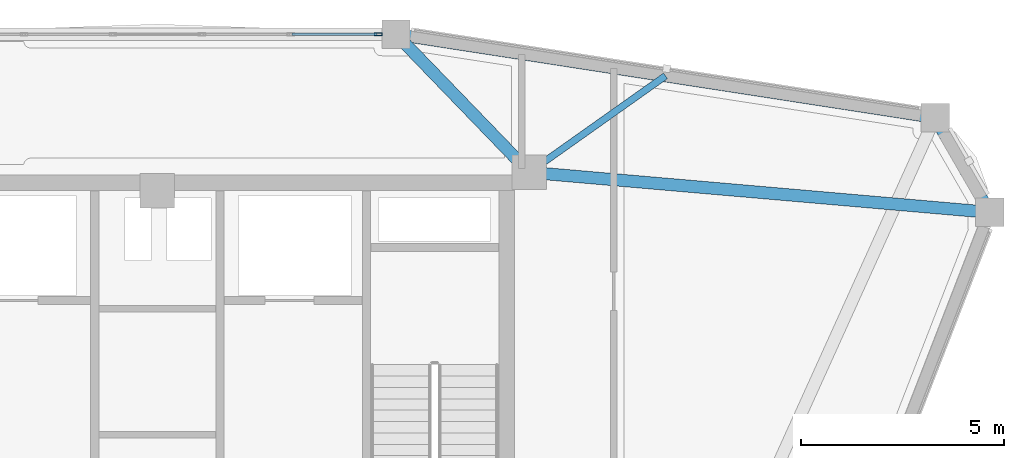
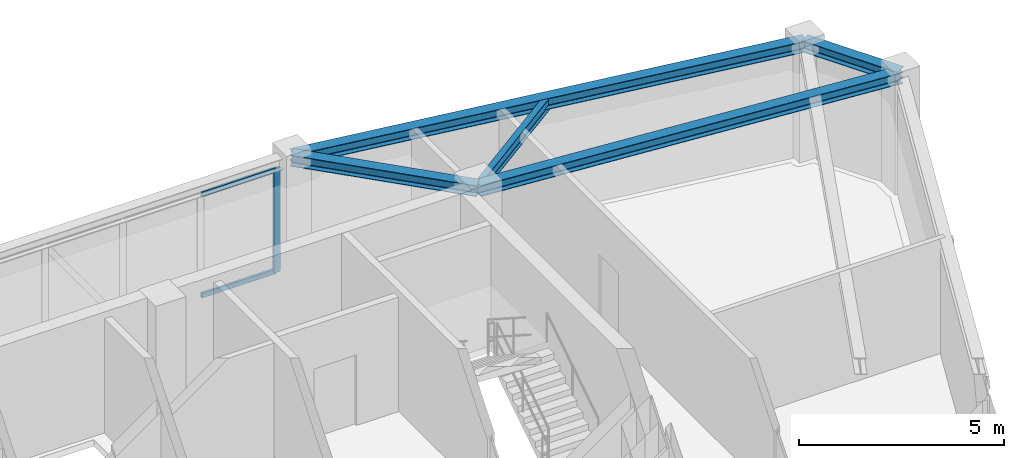
# One storey, part 10 of 15: 5 beams, 3 members, 1 element without a shape of its own.
"""IFC4 building model written with IfcOpenShell, lengths in metres."""

from ifc_helpers import new_model, si_unit, derived_unit, direction, frame, origin, origin_2d, place, context, subcontext, project, spatial, hollow_rectangle, i_section, extrude, source, transform, mapped, material, layer, layer_set, material_profile, profile_set, type_object, element, aggregate, save


model = new_model("IFC4")

# Units and contexts
model_context = context("Model", 3, precision=1e-05, world=origin(), true_north=direction((0.0, 1.0)))
body_context = subcontext(model_context, "Body", "Model", "MODEL_VIEW")
ifc_project = project(units=[si_unit("LENGTHUNIT", "METRE"), si_unit("AREAUNIT", "SQUARE_METRE"), si_unit("VOLUMEUNIT", "CUBIC_METRE"), si_unit("PLANEANGLEUNIT", "RADIAN"), si_unit("MASSUNIT", "GRAM", prefix="KILO"), derived_unit("THERMALTRANSMITTANCEUNIT", [(si_unit("POWERUNIT", "WATT"), 1), (si_unit("LENGTHUNIT", "METRE"), -2), (si_unit("THERMODYNAMICTEMPERATUREUNIT", "KELVIN"), -1)])], contexts=[model_context])

# Site, building, storey
site_placement = place(None, origin())
site = spatial("IfcSite", under=ifc_project, at=site_placement, CompositionType="ELEMENT")
building_placement = place(site_placement, origin())
building = spatial("IfcBuilding", under=site, at=building_placement, Name="Korsvarv Bourse and Concert Hall", CompositionType="ELEMENT")
storey_placement = place(building_placement, frame((0.0, 0.0, 268.199951171875)))
storey = spatial("IfcBuildingStorey", under=building, at=storey_placement, Name="L70", CompositionType="ELEMENT", Elevation=268.199951171875)

# Beams
ifc_material_1 = material(Name="Steel S355", Category="steel")
ifc_material_profile_1 = material_profile(ifc_material_1, i_section(OverallWidth=0.300048828125, OverallDepth=0.330078125, WebThickness=0.009521484375, FlangeThickness=0.0166015625, FilletRadius=0.02099609375, at=origin_2d()), Name="HEA 340")
ifc_profile_set_1 = profile_set([ifc_material_profile_1], Name="Steel S355")
beam_type_1 = type_object("IfcBeamType", Name="BM-HEA340", PredefinedType="BEAM", material=ifc_profile_set_1)
shared_shape_1 = source(origin(), body_context, "Body", "SweptSolid", [
    extrude(i_section(OverallWidth=0.300048828125, OverallDepth=0.330078125, WebThickness=0.009521484375, FlangeThickness=0.0166015625, FilletRadius=0.02099609375, at=origin_2d()), origin(), (0.0, 0.0, 1.0), 2.6923828125),
])
beam_1_placement = place(storey_placement, frame((56.47412109375, 46.266357421875, 3.2451171875), z_axis=(-0.500020738559, 0.86601343004, 0.0), x_axis=(-0.86601343004, -0.500020738559, 0.0)))
element("IfcBeam", 1, at=beam_1_placement, inside=storey, type_object=beam_type_1, Name="L70 beam B-12", PredefinedType="BEAM", context=body_context, shape_type="MappedRepresentation", body=[
    mapped(shared_shape_1, transform((0.0, 0.0, 0.0), scale=1.0)),
])
shared_shape_2 = source(origin(), body_context, "Body", "SweptSolid", [
    extrude(i_section(OverallWidth=0.300048828125, OverallDepth=0.330078125, WebThickness=0.009521484375, FlangeThickness=0.0166015625, FilletRadius=0.02099609375, at=origin_2d()), origin(), (0.0, 0.0, 1.0), 13.416015625),
])
beam_2_placement = place(storey_placement, frame((55.1279296875, 48.597900390625, 3.2451171875), z_axis=(-0.988270074885, 0.152716269881, 0.0), x_axis=(-0.152716269881, -0.988270074885, 0.0)))
element("IfcBeam", 2, at=beam_2_placement, inside=storey, type_object=beam_type_1, Name="L70 beam B-12", PredefinedType="BEAM", context=body_context, shape_type="MappedRepresentation", body=[
    mapped(shared_shape_2, transform((0.0, 0.0, 0.0), scale=1.0)),
])
shared_shape_3 = source(origin(), body_context, "Body", "SweptSolid", [
    extrude(i_section(OverallWidth=0.300048828125, OverallDepth=0.330078125, WebThickness=0.009521484375, FlangeThickness=0.0166015625, FilletRadius=0.02099609375, at=origin_2d()), origin(), (0.0, 0.0, 1.0), 11.366943359375),
])
beam_3_placement = place(storey_placement, frame((56.47412109375, 46.266357421875, 3.2451171875), z_axis=(-0.996248723785, 0.086536006126, 0.0), x_axis=(-0.086536006126, -0.996248723785, 0.0)))
element("IfcBeam", 3, at=beam_3_placement, inside=storey, type_object=beam_type_1, Name="L70 beam B-12", PredefinedType="BEAM", context=body_context, shape_type="MappedRepresentation", body=[
    mapped(shared_shape_3, transform((0.0, 0.0, 0.0), scale=1.0)),
])
shared_shape_4 = source(origin(), body_context, "Body", "SweptSolid", [
    extrude(i_section(OverallWidth=0.300048828125, OverallDepth=0.330078125, WebThickness=0.009521484375, FlangeThickness=0.0166015625, FilletRadius=0.02099609375, at=origin_2d()), origin(), (0.0, 0.0, 1.0), 4.72216796875),
])
beam_4_placement = place(storey_placement, frame((41.869384765625, 50.646728515625, 3.2451171875), z_axis=(0.694695075658, -0.71930435273, 0.0), x_axis=(0.71930435273, 0.694695075658, 0.0)))
element("IfcBeam", 4, at=beam_4_placement, inside=storey, type_object=beam_type_1, Name="L70 beam B-12", PredefinedType="BEAM", context=body_context, shape_type="MappedRepresentation", body=[
    mapped(shared_shape_4, transform((0.0, 0.0, 0.0), scale=1.0)),
])
ifc_material_profile_2 = material_profile(ifc_material_1, i_section(OverallWidth=0.169921875, OverallDepth=0.360107421875, WebThickness=0.008056640625, FlangeThickness=0.0126953125, FilletRadius=0.01806640625, at=origin_2d()), Name="IPE 360")
ifc_profile_set_2 = profile_set([ifc_material_profile_2], Name="Steel S355")
beam_type_2 = type_object("IfcBeamType", Name="BM-IPE360", PredefinedType="JOIST", material=ifc_profile_set_2)
shared_shape_5 = source(origin(), body_context, "Body", "SweptSolid", [
    extrude(i_section(OverallWidth=0.169921875, OverallDepth=0.360107421875, WebThickness=0.008056640625, FlangeThickness=0.0126953125, FilletRadius=0.01806640625, at=origin_2d()), origin(), (0.0, 0.0, 1.0), 4.10400390625),
])
beam_5_placement = place(storey_placement, frame((48.498779296875, 49.622314453125, 3.22998046875), z_axis=(-0.816002266915, -0.578048700708, 0.0), x_axis=(0.578048700708, -0.816002266915, 0.0)))
element("IfcBeam", 5, at=beam_5_placement, inside=storey, type_object=beam_type_2, Name="L70 beam J-06", PredefinedType="JOIST", context=body_context, shape_type="MappedRepresentation", body=[
    mapped(shared_shape_5, transform((0.0, 0.0, 0.0), scale=1.0)),
])

# Curtain wall, members
ifc_material_2 = material(Name="Anodised aluminium and triple low-E glazing", Category="glass")
ifc_layer = layer(ifc_material_2, 0.199951171875)
ifc_layer_set = layer_set([ifc_layer], Name="Anodised aluminium and triple low-E glazing")
curtain_wall_type = type_object("IfcCurtainWallType", Name="CW-SYS-3", PredefinedType="NOTDEFINED", material=ifc_layer_set)
curtain_wall_placement = place(storey_placement, origin())
curtain_wall = element("IfcCurtainWall", 6, at=curtain_wall_placement, inside=storey, type_object=curtain_wall_type, Name="L70 CW3 curtain wall CW-L70-F03", PredefinedType="NOTDEFINED")
ifc_material_3 = material(Name="Extruded aluminium EN AW-6063 T66", Category="aluminium")
ifc_material_profile_3 = material_profile(ifc_material_3, hollow_rectangle(XDim=0.070068359375, YDim=0.18994140625, WallThickness=0.0048828125, at=origin_2d()), Name="ALU-M 70x190")
ifc_profile_set_3 = profile_set([ifc_material_profile_3], Name="Extruded aluminium EN AW-6063 T66")
member_type_1 = type_object("IfcMemberType", Name="CWM-190", PredefinedType="MULLION", material=ifc_profile_set_3)
shared_shape_6 = source(origin(), body_context, "Body", "SweptSolid", [
    extrude(hollow_rectangle(XDim=0.070068359375, YDim=0.18994140625, WallThickness=0.0048828125, at=origin_2d()), origin(), (0.0, 0.0, 1.0), 3.080078125),
])
member_1_placement = place(storey_placement, frame((41.4345703125, 50.646728515625, 0.0), z_axis=(0.0, 0.0, 1.0), x_axis=(0.0, -1.0, 0.0)))
member_1 = element("IfcMember", 7, at=member_1_placement, type_object=member_type_1, Name="CW3 mullion 1", PredefinedType="MULLION", context=body_context, shape_type="MappedRepresentation", body=[
    mapped(shared_shape_6, transform((0.0, 0.0, 0.0), scale=1.0)),
])
ifc_material_profile_4 = material_profile(ifc_material_3, hollow_rectangle(XDim=0.06494140625, YDim=0.139892578125, WallThickness=0.00390625, at=origin_2d()), Name="ALU-T 65x140")
ifc_profile_set_4 = profile_set([ifc_material_profile_4], Name="Extruded aluminium EN AW-6063 T66")
member_type_2 = type_object("IfcMemberType", Name="CWT-140", PredefinedType="USERDEFINED", material=ifc_profile_set_4)
shared_shape_7 = source(origin(), body_context, "Body", "SweptSolid", [
    extrude(hollow_rectangle(XDim=0.06494140625, YDim=0.139892578125, WallThickness=0.00390625, at=origin_2d()), origin(), (0.0, 0.0, 1.0), 2.082763671875),
])
member_2_placement = place(storey_placement, frame((41.3994140625, 50.646728515625, 0.032470703125), z_axis=(-1.0, 0.0, 0.0), x_axis=(0.0, -1.0, 0.0)))
member_2 = element("IfcMember", 8, at=member_2_placement, type_object=member_type_2, Name="CW3 transom 1.1", ObjectType="TRANSOM", PredefinedType="USERDEFINED", context=body_context, shape_type="MappedRepresentation", body=[
    mapped(shared_shape_7, transform((0.0, 0.0, 0.0), scale=1.0)),
])
member_3_placement = place(storey_placement, frame((41.3994140625, 50.646728515625, 3.047607421875), z_axis=(-1.0, 0.0, 0.0), x_axis=(0.0, -1.0, 0.0)))
member_3 = element("IfcMember", 9, at=member_3_placement, type_object=member_type_2, Name="CW3 transom 1.2", ObjectType="TRANSOM", PredefinedType="USERDEFINED", context=body_context, shape_type="MappedRepresentation", body=[
    mapped(shared_shape_7, transform((0.0, 0.0, 0.0), scale=1.0)),
])
aggregate(curtain_wall, [member_1, member_2, member_3])

save(model, "model.ifc")
